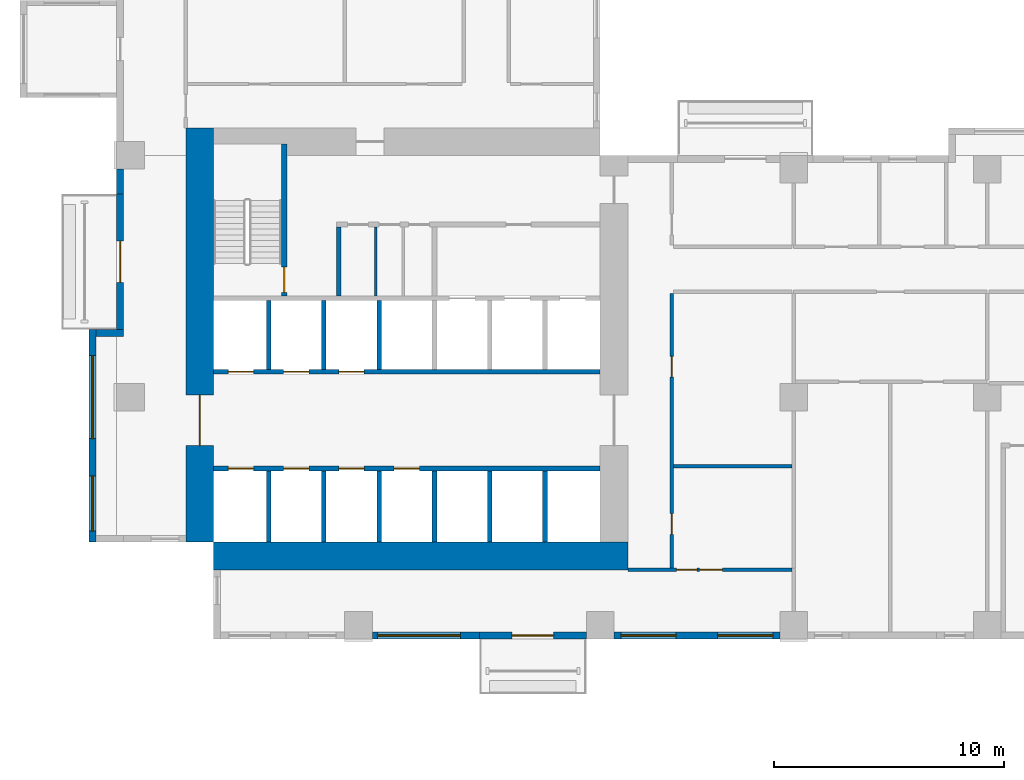
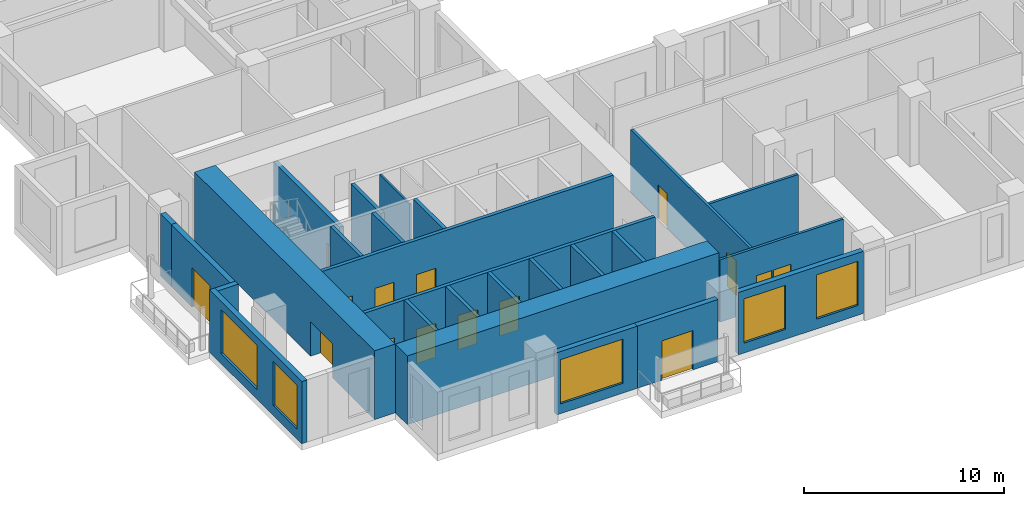
# One storey, part 2 of 14: 26 walls, 15 doors, 5 windows, 20 openings.
"""IFC4 building model written with IfcOpenShell, lengths in metres."""

import ifcopenshell
import ifcopenshell.guid

model = None  # the IFC model being written
_history = None  # IfcOwnerHistory: only IFC2X3 demands one
_inside = {}  # id of a spatial element -> (the spatial element, [elements in it])
_under = {}  # id of a project, library or spatial element -> (it, [spatial elements below it])
_declared = {}  # id of a project -> (the project, [libraries it declares])
_typed = {}  # id of a type object -> (the type object, [elements of that type])
_made_of = {}  # id of a material, layer set ... -> (it, [elements and type objects made of it])


def new_model(schema):
    """Start an empty IFC model of exactly this schema.

    Asked for "IFC4X3", IfcOpenShell would pick the latest addendum, in which some entities
    have other attributes; the version numbers below select the first issue.
    IFC2X3 requires an IfcOwnerHistory on every rooted entity: one is made here for all.
    """
    global model, _history
    if schema == "IFC4X3":
        model = ifcopenshell.file(schema_version=(4, 3, 0, 0))
    else:
        model = ifcopenshell.file(schema=schema)
    _inside.clear()
    _under.clear()
    _declared.clear()
    _typed.clear()
    _made_of.clear()
    _history = None
    if model.schema == "IFC2X3":
        org = make("IfcOrganization", Name="unknown")
        user = make(
            "IfcPersonAndOrganization",
            ThePerson=make("IfcPerson", FamilyName="unknown"),
            TheOrganization=org,
        )
        app = make(
            "IfcApplication",
            ApplicationDeveloper=org,
            Version="unknown",
            ApplicationFullName="unknown",
            ApplicationIdentifier="unknown",
        )
        _history = make(
            "IfcOwnerHistory",
            OwningUser=user,
            OwningApplication=app,
            ChangeAction="ADDED",
            CreationDate=0,
        )
    return model


def make(cls, **values):
    """One entity of the class cls with the attributes given. An attribute that is None is left unset."""
    return model.create_entity(
        cls, **{name: value for name, value in values.items() if value is not None}
    )


def rooted(cls, **values):
    """An entity with a GlobalId (a new one), such as an element, a storey or a relation."""
    return make(cls, GlobalId=ifcopenshell.guid.new(), OwnerHistory=_history, **values)


def si_unit(unit_type, name, prefix=None):
    """IfcSIUnit, for example si_unit("LENGTHUNIT", "METRE", prefix="MILLI")."""
    return make("IfcSIUnit", UnitType=unit_type, Prefix=prefix, Name=name)


def assignment(units):
    """IfcUnitAssignment: the units of a project."""
    return None if units is None else make("IfcUnitAssignment", Units=units)


def point(xyz):
    """IfcCartesianPoint."""
    return None if xyz is None else make("IfcCartesianPoint", Coordinates=xyz)


def direction(xyz):
    """IfcDirection."""
    return None if xyz is None else make("IfcDirection", DirectionRatios=xyz)


def frame(location, z_axis=None, x_axis=None):
    """IfcAxis2Placement3D, a coordinate frame: its origin and axes. An axis left out is left unset."""
    return make(
        "IfcAxis2Placement3D",
        Location=point(location),
        Axis=direction(z_axis),
        RefDirection=direction(x_axis),
    )


def frame_2d(location, x_axis=None):
    """IfcAxis2Placement2D, a coordinate frame in the plane: its origin and x axis."""
    return make(
        "IfcAxis2Placement2D", Location=point(location), RefDirection=direction(x_axis)
    )


def origin():
    """The frame at (0, 0, 0) with its axes left unset."""
    return frame((0.0, 0.0, 0.0))


def place(relative_to, where):
    """IfcLocalPlacement: puts the frame where relative to a parent placement (None: the world)."""
    return make(
        "IfcLocalPlacement", PlacementRelTo=relative_to, RelativePlacement=where
    )


def context(
    kind, dimensions, precision=None, world=None, true_north=None, identifier=None
):
    """IfcGeometricRepresentationContext, for example the 3D "Model" context."""
    return make(
        "IfcGeometricRepresentationContext",
        ContextIdentifier=identifier,
        ContextType=kind,
        CoordinateSpaceDimension=dimensions,
        Precision=precision,
        WorldCoordinateSystem=world,
        TrueNorth=true_north,
    )


def subcontext(parent, identifier, kind, view, scale=None):
    """IfcGeometricRepresentationSubContext, for example "Body" below "Model"."""
    return make(
        "IfcGeometricRepresentationSubContext",
        ContextIdentifier=identifier,
        ContextType=kind,
        ParentContext=parent,
        TargetScale=scale,
        TargetView=view,
    )


def project(units=None, contexts=None):
    """IfcProject with its units and contexts."""
    return rooted(
        "IfcProject",
        Name="project",
        RepresentationContexts=contexts,
        UnitsInContext=assignment(units),
    )


def spatial(cls, under=None, at=None, **own):
    """A site, building, storey or space (cls), placed at a placement, below another one or the project."""
    s = rooted(cls, ObjectPlacement=at, **own)
    if under is not None:
        _under.setdefault(under.id(), (under, []))[1].append(s)
    return s


def profile(cls, at=None, kind="AREA", **sizes):
    """A parametric profile (cls). Its sizes go by their IFC names, for example OverallWidth=200.0."""
    return make(cls, ProfileType=kind, Position=at, **sizes)


def rectangle(**sizes):
    """IfcRectangleProfileDef."""
    return profile("IfcRectangleProfileDef", **sizes)


def extrude(swept, where, along, depth):
    """IfcExtrudedAreaSolid: the profile swept, set in the frame where, extruded along a direction by depth."""
    return make(
        "IfcExtrudedAreaSolid",
        SweptArea=swept,
        Position=where,
        ExtrudedDirection=direction(along),
        Depth=depth,
    )


def shape(context_of_items, identifier, shape_type, items):
    """IfcShapeRepresentation: the items that make up one representation, for example the "Body"."""
    return make(
        "IfcShapeRepresentation",
        ContextOfItems=context_of_items,
        RepresentationIdentifier=identifier,
        RepresentationType=shape_type,
        Items=items,
    )


def source(mapping_origin, context_of_items, identifier, shape_type, items):
    """IfcRepresentationMap: a shape defined once, which mapped items show again and again."""
    return make(
        "IfcRepresentationMap",
        MappingOrigin=mapping_origin,
        MappedRepresentation=shape(context_of_items, identifier, shape_type, items),
    )


def transform(
    local_origin,
    x_axis=None,
    y_axis=None,
    z_axis=None,
    scale=None,
    scale2=None,
    scale3=None,
    uniform=True,
):
    """IfcCartesianTransformationOperator3D, or its non-uniform kind. x_axis, y_axis, z_axis: its Axis1, 2, 3."""
    if uniform:
        return make(
            "IfcCartesianTransformationOperator3D",
            Axis1=direction(x_axis),
            Axis2=direction(y_axis),
            LocalOrigin=point(local_origin),
            Scale=scale,
            Axis3=direction(z_axis),
        )
    return make(
        "IfcCartesianTransformationOperator3DnonUniform",
        Axis1=direction(x_axis),
        Axis2=direction(y_axis),
        LocalOrigin=point(local_origin),
        Scale=scale,
        Axis3=direction(z_axis),
        Scale2=scale2,
        Scale3=scale3,
    )


def mapped(mapping_source, mapping_target):
    """IfcMappedItem: shows the shape of a source again, moved by a transform."""
    return make(
        "IfcMappedItem", MappingSource=mapping_source, MappingTarget=mapping_target
    )


def material(Name=None, Category=None):
    """IfcMaterial."""
    return make("IfcMaterial", Name=Name, Category=Category)


def layer(
    of_material, thickness, ventilated=None, Name=None, Category=None, Priority=None
):
    """IfcMaterialLayer: one layer of a wall or slab, of a material (None: an air gap)."""
    return make(
        "IfcMaterialLayer",
        Material=of_material,
        LayerThickness=thickness,
        IsVentilated=ventilated,
        Name=Name,
        Category=Category,
        Priority=Priority,
    )


def layer_set(layers, Name=None):
    """IfcMaterialLayerSet."""
    return make("IfcMaterialLayerSet", MaterialLayers=layers, LayerSetName=Name)


def made_of(thing, what):
    """Note that an element or type object is made of a material, layer set ...; save() writes the relation."""
    if what is not None:
        _made_of.setdefault(what.id(), (what, []))[1].append(thing)
    return thing


def type_object(cls, material=None, **own):
    """A type object (cls), such as IfcWallType, which elements share."""
    return made_of(rooted(cls, **own), material)


def element(
    cls,
    number,
    at=None,
    inside=None,
    cuts=None,
    type_object=None,
    material=None,
    context=None,
    identifier="Body",
    shape_type=None,
    held_by="IfcProductDefinitionShape",
    body=None,
    shapes=None,
    **own,
):
    """One element of the class cls, such as IfcWall. Its Tag is "e" and its number.

    at: its placement. inside: the storey or other place that contains it. cuts: it is an
    opening in that element (IfcRelVoidsElement). A single representation is given by context,
    identifier, shape_type and body (its items); several are given by shapes. held_by: the class
    of the entity that holds the representations. save() writes the other relations.
    """
    e = rooted(cls, Tag="e%d" % number, ObjectPlacement=at, **own)
    if body is not None:
        shapes = [shape(context, identifier, shape_type, body)]
    if shapes is not None:
        e.Representation = make(held_by, Representations=shapes)
    if inside is not None:
        _inside.setdefault(inside.id(), (inside, []))[1].append(e)
    if cuts is not None:
        rooted(
            "IfcRelVoidsElement", RelatingBuildingElement=cuts, RelatedOpeningElement=e
        )
    if type_object is not None:
        _typed.setdefault(type_object.id(), (type_object, []))[1].append(e)
    return made_of(e, material)


def fill(opening, filler):
    """IfcRelFillsElement: the door or window that sits in an opening."""
    return rooted(
        "IfcRelFillsElement",
        RelatingOpeningElement=opening,
        RelatedBuildingElement=filler,
    )


def aggregate(whole, parts):
    """IfcRelAggregates: a whole, such as a stair, and the parts it consists of."""
    return rooted("IfcRelAggregates", RelatingObject=whole, RelatedObjects=parts)


def save(model, path):
    """Write the relations noted so far, then the file.

    IfcRelAggregates (storeys below a building ...), IfcRelContainedInSpatialStructure (elements
    in a storey), IfcRelDefinesByType, IfcRelAssociatesMaterial and IfcRelDeclares: one each for
    every whole, place, type object, material and project.
    """
    for whole, parts in _under.values():
        aggregate(whole, parts)
    for where, things in _inside.values():
        rooted(
            "IfcRelContainedInSpatialStructure",
            RelatedElements=things,
            RelatingStructure=where,
        )
    for kind, things in _typed.values():
        rooted("IfcRelDefinesByType", RelatedObjects=things, RelatingType=kind)
    for what, things in _made_of.values():
        rooted("IfcRelAssociatesMaterial", RelatedObjects=things, RelatingMaterial=what)
    for by, libraries in _declared.values():
        rooted("IfcRelDeclares", RelatingContext=by, RelatedDefinitions=libraries)
    model.write(path)


model = new_model("IFC4")

# Units and contexts
model_context = context("Model", 3, precision=1e-05, world=origin(), true_north=direction((0.0, 1.0)))
body_context = subcontext(model_context, "Body", "Model", "MODEL_VIEW")
ifc_project = project(units=[si_unit("LENGTHUNIT", "METRE"), si_unit("AREAUNIT", "SQUARE_METRE"), si_unit("VOLUMEUNIT", "CUBIC_METRE"), si_unit("PLANEANGLEUNIT", "RADIAN"), si_unit("MASSUNIT", "GRAM", prefix="KILO")], contexts=[model_context])

# Site, building, storey
site_placement = place(None, origin())
site = spatial("IfcSite", under=ifc_project, at=site_placement, CompositionType="ELEMENT")
building_placement = place(site_placement, origin())
building = spatial("IfcBuilding", under=site, at=building_placement, Name="Aurelian Terraces", CompositionType="ELEMENT")
storey_placement = place(building_placement, frame((0.0, 0.0, 44.7)))
storey = spatial("IfcBuildingStorey", under=building, at=storey_placement, Name="L08", CompositionType="ELEMENT", Elevation=44.7)

# Wall, openings, windows
ifc_material_1 = material(Name="Terracotta rainscreen cladding", Category="masonry")
ifc_layer_1 = layer(ifc_material_1, 0.3)
ifc_layer_set_1 = layer_set([ifc_layer_1], Name="EW-300")
wall_type_1 = type_object("IfcWallType", Name="EW-300", PredefinedType="STANDARD", material=ifc_layer_set_1)
wall_1_placement = place(storey_placement, frame((-1.05, 13.44, 0.0), z_axis=(0.0, 0.0, 1.0), x_axis=(0.0, -1.0, 0.0)))
wall_1 = element("IfcWall", 1, at=wall_1_placement, inside=storey, type_object=wall_type_1, Name="Bay wall L08 F14.44", PredefinedType="STANDARD", context=body_context, shape_type="SweptSolid", body=[
    extrude(rectangle(XDim=9.24, YDim=0.3, at=frame_2d((4.62, 0.0))), origin(), (0.0, 0.0, 1.0), 3.8),
])
shared_shape_1 = source(origin(), body_context, "Body", "SweptSolid", [
    extrude(rectangle(XDim=3.6, YDim=2.7, at=frame_2d((1.8, 1.35))), frame((0.0, 0.16, 0.0), z_axis=(0.0, -1.0, 0.0), x_axis=(1.0, 0.0, 0.0)), (0.0, 0.0, 1.0), 0.32),
])
opening_1_placement = place(wall_1_placement, frame((1.14, 0.0, 0.6)))
opening_1 = element("IfcOpeningElement", 2, at=opening_1_placement, cuts=wall_1, Name="Opening W3627", PredefinedType="OPENING", context=body_context, shape_type="MappedRepresentation", body=[
    mapped(shared_shape_1, transform((0.0, 0.0, 0.0), scale=1.0)),
])
shared_shape_2 = source(origin(), body_context, "Body", "SweptSolid", [
    extrude(rectangle(XDim=2.4, YDim=2.7, at=frame_2d((1.2, 1.35))), frame((0.0, 0.16, 0.0), z_axis=(0.0, -1.0, 0.0), x_axis=(1.0, 0.0, 0.0)), (0.0, 0.0, 1.0), 0.32),
])
opening_2_placement = place(wall_1_placement, frame((6.36, 0.0, 0.6)))
opening_2 = element("IfcOpeningElement", 3, at=opening_2_placement, cuts=wall_1, Name="Opening W2427", PredefinedType="OPENING", context=body_context, shape_type="MappedRepresentation", body=[
    mapped(shared_shape_2, transform((0.0, 0.0, 0.0), scale=1.0)),
])
ifc_material_2 = material(Name="Clear glazing", Category="glass")
window_type_1 = type_object("IfcWindowType", Name="W-3600x2700", PartitioningType="SINGLE_PANEL", PredefinedType="WINDOW", material=ifc_material_2)
shared_shape_3 = source(origin(), body_context, "Body", "SweptSolid", [
    extrude(rectangle(XDim=3.6, YDim=2.7, at=frame_2d((1.8, 1.35))), frame((0.0, 0.03, 0.0), z_axis=(0.0, -1.0, 0.0), x_axis=(1.0, 0.0, 0.0)), (0.0, 0.0, 1.0), 0.06),
])
window_1_placement = place(opening_1_placement, origin())
window_1 = element("IfcWindow", 4, at=window_1_placement, inside=storey, type_object=window_type_1, Name="Window L08 L08-F14-44-0", OverallHeight=2.7, OverallWidth=3.6, PartitioningType="SINGLE_PANEL", PredefinedType="WINDOW", context=body_context, shape_type="MappedRepresentation", body=[
    mapped(shared_shape_3, transform((0.0, 0.0, 0.0), scale=1.0)),
])
fill(opening_1, window_1)
window_type_2 = type_object("IfcWindowType", Name="W-2400x2700", PartitioningType="SINGLE_PANEL", PredefinedType="WINDOW", material=ifc_material_2)
shared_shape_4 = source(origin(), body_context, "Body", "SweptSolid", [
    extrude(rectangle(XDim=2.4, YDim=2.7, at=frame_2d((1.2, 1.35))), frame((0.0, 0.03, 0.0), z_axis=(0.0, -1.0, 0.0), x_axis=(1.0, 0.0, 0.0)), (0.0, 0.0, 1.0), 0.06),
])
window_2_placement = place(opening_2_placement, origin())
window_2 = element("IfcWindow", 5, at=window_2_placement, inside=storey, type_object=window_type_2, Name="Window L08 L08-F14-44-1", OverallHeight=2.7, OverallWidth=2.4, PartitioningType="SINGLE_PANEL", PredefinedType="WINDOW", context=body_context, shape_type="MappedRepresentation", body=[
    mapped(shared_shape_4, transform((0.0, 0.0, 0.0), scale=1.0)),
])
fill(opening_2, window_2)

# Wall, opening, door
ifc_material_3 = material(Name="Concrete fc' 83 MPa", Category="concrete")
ifc_layer_2 = layer(ifc_material_3, 1.2)
ifc_layer_set_2 = layer_set([ifc_layer_2], Name="CORE WALL 1200 FC83")
wall_type_2 = type_object("IfcWallType", Name="CORE WALL 1200 FC83", PredefinedType="SHEAR", material=ifc_layer_set_2)
shared_shape_5 = source(origin(), body_context, "Body", "SweptSolid", [
    extrude(rectangle(XDim=18.0, YDim=1.2, at=frame_2d((9.0, 0.0))), origin(), (0.0, 0.0, 1.0), 4.2),
])
wall_2_placement = place(storey_placement, frame((3.6, 4.2, 0.0), z_axis=(0.0, 0.0, 1.0), x_axis=(0.0, 1.0, 0.0)))
wall_2 = element("IfcWall", 6, at=wall_2_placement, inside=storey, type_object=wall_type_2, Name="Core wall W L08", PredefinedType="SHEAR", context=body_context, shape_type="MappedRepresentation", body=[
    mapped(shared_shape_5, transform((0.0, 0.0, 0.0), scale=1.0)),
])
shared_shape_6 = source(origin(), body_context, "Body", "SweptSolid", [
    extrude(rectangle(XDim=2.2, YDim=2.1, at=frame_2d((1.1, 1.05))), frame((0.0, 0.61, 0.0), z_axis=(0.0, -1.0, 0.0), x_axis=(1.0, 0.0, 0.0)), (0.0, 0.0, 1.0), 1.22),
])
opening_3_placement = place(wall_2_placement, frame((4.2, 0.0, 0.0)))
opening_3 = element("IfcOpeningElement", 7, at=opening_3_placement, cuts=wall_2, Name="Opening 61122", PredefinedType="OPENING", context=body_context, shape_type="MappedRepresentation", body=[
    mapped(shared_shape_6, transform((0.0, 0.0, 0.0), scale=1.0)),
])
ifc_material_4 = material(Name="Steel door leaf", Category="steel")
door_type_1 = type_object("IfcDoorType", Name="Core double door 2200x2100", OperationType="DOUBLE_DOOR_SINGLE_SWING", PredefinedType="DOOR", material=ifc_material_4)
shared_shape_7 = source(origin(), body_context, "Body", "SweptSolid", [
    extrude(rectangle(XDim=2.2, YDim=2.1, at=frame_2d((1.1, 1.05))), frame((0.0, 0.025, 0.0), z_axis=(0.0, -1.0, 0.0), x_axis=(1.0, 0.0, 0.0)), (0.0, 0.0, 1.0), 0.05),
])
door_1_placement = place(opening_3_placement, origin())
door_1 = element("IfcDoor", 8, at=door_1_placement, inside=storey, type_object=door_type_1, Name="Core door 61122", OperationType="DOUBLE_DOOR_SINGLE_SWING", OverallHeight=2.1, OverallWidth=2.2, PredefinedType="DOOR", context=body_context, shape_type="MappedRepresentation", body=[
    mapped(shared_shape_7, transform((0.0, 0.0, 0.0), scale=1.0)),
])
fill(opening_3, door_1)

# Wall
wall_3_placement = place(storey_placement, frame((4.2, 3.6, 0.0), z_axis=(0.0, 0.0, 1.0), x_axis=(1.0, 0.0, 0.0)))
element("IfcWall", 9, at=wall_3_placement, inside=storey, type_object=wall_type_2, Name="Core wall S L08", PredefinedType="SHEAR", context=body_context, shape_type="MappedRepresentation", body=[
    mapped(shared_shape_5, transform((0.0, 0.0, 0.0), scale=1.0)),
])

# Wall, opening, window
shared_shape_8 = source(origin(), body_context, "Body", "SweptSolid", [
    extrude(rectangle(XDim=4.65, YDim=0.3, at=frame_2d((2.325, 0.0))), origin(), (0.0, 0.0, 1.0), 3.8),
])
wall_4_placement = place(storey_placement, frame((11.1, 0.15, 0.0), z_axis=(0.0, 0.0, 1.0), x_axis=(1.0, 0.0, 0.0)))
wall_4 = element("IfcWall", 10, at=wall_4_placement, inside=storey, type_object=wall_type_1, Name="External wall L08 F01.3", PredefinedType="STANDARD", context=body_context, shape_type="MappedRepresentation", body=[
    mapped(shared_shape_8, transform((0.0, 0.0, 0.0), scale=1.0)),
])
opening_4_placement = place(wall_4_placement, frame((0.225, 0.0, 0.6)))
opening_4 = element("IfcOpeningElement", 11, at=opening_4_placement, cuts=wall_4, Name="Opening W3627", PredefinedType="OPENING", context=body_context, shape_type="MappedRepresentation", body=[
    mapped(shared_shape_1, transform((0.0, 0.0, 0.0), scale=1.0)),
])
window_3_placement = place(opening_4_placement, origin())
window_3 = element("IfcWindow", 12, at=window_3_placement, inside=storey, type_object=window_type_1, Name="Window L08 L08-F01-03-0", OverallHeight=2.7, OverallWidth=3.6, PartitioningType="SINGLE_PANEL", PredefinedType="WINDOW", context=body_context, shape_type="MappedRepresentation", body=[
    mapped(shared_shape_3, transform((0.0, 0.0, 0.0), scale=1.0)),
])
fill(opening_4, window_3)

# Wall, opening, door
wall_5_placement = place(storey_placement, frame((15.75, 0.15, 0.0), z_axis=(0.0, 0.0, 1.0), x_axis=(1.0, 0.0, 0.0)))
wall_5 = element("IfcWall", 13, at=wall_5_placement, inside=storey, type_object=wall_type_1, Name="External wall L08 F01.4", PredefinedType="STANDARD", context=body_context, shape_type="MappedRepresentation", body=[
    mapped(shared_shape_8, transform((0.0, 0.0, 0.0), scale=1.0)),
])
shared_shape_9 = source(origin(), body_context, "Body", "SweptSolid", [
    extrude(rectangle(XDim=1.8, YDim=2.4, at=frame_2d((0.9, 1.2))), frame((0.0, 0.16, 0.0), z_axis=(0.0, -1.0, 0.0), x_axis=(1.0, 0.0, 0.0)), (0.0, 0.0, 1.0), 0.32),
])
opening_5_placement = place(wall_5_placement, frame((1.425, 0.0, 0.0)))
opening_5 = element("IfcOpeningElement", 14, at=opening_5_placement, cuts=wall_5, Name="Opening 80801", PredefinedType="OPENING", context=body_context, shape_type="MappedRepresentation", body=[
    mapped(shared_shape_9, transform((0.0, 0.0, 0.0), scale=1.0)),
])
door_type_2 = type_object("IfcDoorType", Name="BD-1800x2400", OperationType="SLIDING_TO_LEFT", PredefinedType="DOOR", material=ifc_material_2)
shared_shape_10 = source(origin(), body_context, "Body", "SweptSolid", [
    extrude(rectangle(XDim=1.8, YDim=2.4, at=frame_2d((0.9, 1.2))), frame((0.0, 0.025, 0.0), z_axis=(0.0, -1.0, 0.0), x_axis=(1.0, 0.0, 0.0)), (0.0, 0.0, 1.0), 0.05),
])
door_2_placement = place(opening_5_placement, origin())
door_2 = element("IfcDoor", 15, at=door_2_placement, inside=storey, type_object=door_type_2, Name="Balcony door L08 F01.4", OperationType="SLIDING_TO_LEFT", OverallHeight=2.4, OverallWidth=1.8, PredefinedType="DOOR", context=body_context, shape_type="MappedRepresentation", body=[
    mapped(shared_shape_10, transform((0.0, 0.0, 0.0), scale=1.0)),
])
fill(opening_5, door_2)

# Wall, openings, windows
shared_shape_11 = source(origin(), body_context, "Body", "SweptSolid", [
    extrude(rectangle(XDim=7.2, YDim=0.3, at=frame_2d((3.6, 0.0))), origin(), (0.0, 0.0, 1.0), 3.8),
])
wall_6_placement = place(storey_placement, frame((21.6, 0.15, 0.0), z_axis=(0.0, 0.0, 1.0), x_axis=(1.0, 0.0, 0.0)))
wall_6 = element("IfcWall", 16, at=wall_6_placement, inside=storey, type_object=wall_type_1, Name="External wall L08 F01.5", PredefinedType="STANDARD", context=body_context, shape_type="MappedRepresentation", body=[
    mapped(shared_shape_11, transform((0.0, 0.0, 0.0), scale=1.0)),
])
opening_6_placement = place(wall_6_placement, frame((0.3, 0.0, 0.6)))
opening_6 = element("IfcOpeningElement", 17, at=opening_6_placement, cuts=wall_6, Name="Opening W2427", PredefinedType="OPENING", context=body_context, shape_type="MappedRepresentation", body=[
    mapped(shared_shape_2, transform((0.0, 0.0, 0.0), scale=1.0)),
])
opening_7_placement = place(wall_6_placement, frame((4.5, 0.0, 0.6)))
opening_7 = element("IfcOpeningElement", 18, at=opening_7_placement, cuts=wall_6, Name="Opening W2427", PredefinedType="OPENING", context=body_context, shape_type="MappedRepresentation", body=[
    mapped(shared_shape_2, transform((0.0, 0.0, 0.0), scale=1.0)),
])
window_4_placement = place(opening_6_placement, origin())
window_4 = element("IfcWindow", 19, at=window_4_placement, inside=storey, type_object=window_type_2, Name="Window L08 L08-F01-05-0", OverallHeight=2.7, OverallWidth=2.4, PartitioningType="SINGLE_PANEL", PredefinedType="WINDOW", context=body_context, shape_type="MappedRepresentation", body=[
    mapped(shared_shape_4, transform((0.0, 0.0, 0.0), scale=1.0)),
])
fill(opening_6, window_4)
window_5_placement = place(opening_7_placement, origin())
window_5 = element("IfcWindow", 20, at=window_5_placement, inside=storey, type_object=window_type_2, Name="Window L08 L08-F01-05-1", OverallHeight=2.7, OverallWidth=2.4, PartitioningType="SINGLE_PANEL", PredefinedType="WINDOW", context=body_context, shape_type="MappedRepresentation", body=[
    mapped(shared_shape_4, transform((0.0, 0.0, 0.0), scale=1.0)),
])
fill(opening_7, window_5)

# Wall
shared_shape_12 = source(origin(), body_context, "Body", "SweptSolid", [
    extrude(rectangle(XDim=1.2, YDim=0.3, at=frame_2d((0.6, 0.0))), origin(), (0.0, 0.0, 1.0), 3.8),
])
wall_7_placement = place(storey_placement, frame((0.3, 13.29, 0.0), z_axis=(0.0, 0.0, 1.0), x_axis=(-1.0, 0.0, 0.0)))
element("IfcWall", 21, at=wall_7_placement, inside=storey, type_object=wall_type_1, Name="Bay return L08 F14.44.1", PredefinedType="STANDARD", context=body_context, shape_type="MappedRepresentation", body=[
    mapped(shared_shape_12, transform((0.0, 0.0, 0.0), scale=1.0)),
])

# Wall, opening, door
shared_shape_13 = source(origin(), body_context, "Body", "SweptSolid", [
    extrude(rectangle(XDim=5.88, YDim=0.3, at=frame_2d((2.94, 0.0))), origin(), (0.0, 0.0, 1.0), 3.8),
])
wall_8_placement = place(storey_placement, frame((0.15, 19.32, 0.0), z_axis=(0.0, 0.0, 1.0), x_axis=(0.0, -1.0, 0.0)))
wall_8 = element("IfcWall", 22, at=wall_8_placement, inside=storey, type_object=wall_type_1, Name="External wall L08 F14.43", PredefinedType="STANDARD", context=body_context, shape_type="MappedRepresentation", body=[
    mapped(shared_shape_13, transform((0.0, 0.0, 0.0), scale=1.0)),
])
opening_8_placement = place(wall_8_placement, frame((2.04, 0.0, 0.0)))
opening_8 = element("IfcOpeningElement", 23, at=opening_8_placement, cuts=wall_8, Name="Opening 80803", PredefinedType="OPENING", context=body_context, shape_type="MappedRepresentation", body=[
    mapped(shared_shape_9, transform((0.0, 0.0, 0.0), scale=1.0)),
])
door_3_placement = place(opening_8_placement, origin())
door_3 = element("IfcDoor", 24, at=door_3_placement, inside=storey, type_object=door_type_2, Name="Balcony door L08 F14.43", OperationType="SLIDING_TO_LEFT", OverallHeight=2.4, OverallWidth=1.8, PredefinedType="DOOR", context=body_context, shape_type="MappedRepresentation", body=[
    mapped(shared_shape_10, transform((0.0, 0.0, 0.0), scale=1.0)),
])
fill(opening_8, door_3)

# Walls
shared_shape_14 = source(origin(), body_context, "Body", "SweptSolid", [
    extrude(rectangle(XDim=1.08, YDim=0.3, at=frame_2d((0.54, 0.0))), origin(), (0.0, 0.0, 1.0), 3.8),
])
wall_9_placement = place(storey_placement, frame((0.15, 20.4, 0.0), z_axis=(0.0, 0.0, 1.0), x_axis=(0.0, -1.0, 0.0)))
element("IfcWall", 25, at=wall_9_placement, inside=storey, type_object=wall_type_1, Name="External wall L08 F14.42", PredefinedType="STANDARD", context=body_context, shape_type="MappedRepresentation", body=[
    mapped(shared_shape_14, transform((0.0, 0.0, 0.0), scale=1.0)),
])
ifc_material_5 = material(Name="Concrete fc' 40 MPa", Category="concrete")
ifc_layer_3 = layer(ifc_material_5, 0.2)
ifc_layer_set_3 = layer_set([ifc_layer_3], Name="Lift shaft wall 200")
wall_type_3 = type_object("IfcWallType", Name="Lift shaft wall 200", PredefinedType="SOLIDWALL", material=ifc_layer_set_3)
shared_shape_15 = source(origin(), body_context, "Body", "SweptSolid", [
    extrude(rectangle(XDim=3.1, YDim=0.2, at=frame_2d((1.55, 0.0))), origin(), (0.0, 0.0, 1.0), 4.2),
])
for number, where, z_axis, x_axis, name in (
    (26, (6.6, 4.2, 0.0), (0.0, 0.0, 1.0), (0.0, 1.0, 0.0), "L08 core wall CD-A1"),
    (27, (9.0, 4.2, 0.0), (0.0, 0.0, 1.0), (0.0, 1.0, 0.0), "L08 core wall CD-A2"),
    (28, (11.4, 4.2, 0.0), (0.0, 0.0, 1.0), (0.0, 1.0, 0.0), "L08 core wall CD-A3"),
    (29, (13.8, 4.2, 0.0), (0.0, 0.0, 1.0), (0.0, 1.0, 0.0), "L08 core wall CD-A4"),
    (30, (16.2, 4.2, 0.0), (0.0, 0.0, 1.0), (0.0, 1.0, 0.0), "L08 core wall CD-A5"),
    (31, (18.6, 4.2, 0.0), (0.0, 0.0, 1.0), (0.0, 1.0, 0.0), "L08 core wall CD-A6"),
):
    element("IfcWall", number, at=place(storey_placement, frame(where, z_axis=z_axis, x_axis=x_axis)), inside=storey, type_object=wall_type_3, Name=name, PredefinedType="SOLIDWALL", context=body_context, shape_type="MappedRepresentation", body=[
        mapped(shared_shape_15, transform((0.0, 0.0, 0.0), scale=1.0)),
    ])
shared_shape_16 = source(origin(), body_context, "Body", "SweptSolid", [
    extrude(rectangle(XDim=3.0, YDim=0.2, at=frame_2d((1.5, 0.0))), origin(), (0.0, 0.0, 1.0), 4.2),
])
for number, where, z_axis, x_axis, name in (
    (32, (6.6, 11.7, 0.0), (0.0, 0.0, 1.0), (0.0, 1.0, 0.0), "L08 core wall CD-B1"),
    (33, (9.0, 11.7, 0.0), (0.0, 0.0, 1.0), (0.0, 1.0, 0.0), "L08 core wall CD-B2"),
    (34, (11.4, 11.7, 0.0), (0.0, 0.0, 1.0), (0.0, 1.0, 0.0), "L08 core wall CD-B3"),
):
    element("IfcWall", number, at=place(storey_placement, frame(where, z_axis=z_axis, x_axis=x_axis)), inside=storey, type_object=wall_type_3, Name=name, PredefinedType="SOLIDWALL", context=body_context, shape_type="MappedRepresentation", body=[
        mapped(shared_shape_16, transform((0.0, 0.0, 0.0), scale=1.0)),
    ])

# Wall, openings, doors
shared_shape_17 = source(origin(), body_context, "Body", "SweptSolid", [
    extrude(rectangle(XDim=16.8, YDim=0.2, at=frame_2d((8.4, 0.0))), origin(), (0.0, 0.0, 1.0), 4.2),
])
wall_10_placement = place(storey_placement, frame((4.2, 7.4, 0.0), z_axis=(0.0, 0.0, 1.0), x_axis=(1.0, 0.0, 0.0)))
wall_10 = element("IfcWall", 35, at=wall_10_placement, inside=storey, type_object=wall_type_3, Name="L08 core wall CF-AF1", PredefinedType="SOLIDWALL", context=body_context, shape_type="MappedRepresentation", body=[
    mapped(shared_shape_17, transform((0.0, 0.0, 0.0), scale=1.0)),
])
shared_shape_18 = source(origin(), body_context, "Body", "SweptSolid", [
    extrude(rectangle(XDim=1.1, YDim=2.1, at=frame_2d((0.55, 1.05))), frame((0.0, 0.11, 0.0), z_axis=(0.0, -1.0, 0.0), x_axis=(1.0, 0.0, 0.0)), (0.0, 0.0, 1.0), 0.22),
])
opening_9_placement = place(wall_10_placement, frame((0.65, 0.0, 0.0)))
opening_9 = element("IfcOpeningElement", 36, at=opening_9_placement, cuts=wall_10, Name="Opening 61100", PredefinedType="OPENING", context=body_context, shape_type="MappedRepresentation", body=[
    mapped(shared_shape_18, transform((0.0, 0.0, 0.0), scale=1.0)),
])
opening_10_placement = place(wall_10_placement, frame((3.05, 0.0, 0.0)))
opening_10 = element("IfcOpeningElement", 37, at=opening_10_placement, cuts=wall_10, Name="Opening 61101", PredefinedType="OPENING", context=body_context, shape_type="MappedRepresentation", body=[
    mapped(shared_shape_18, transform((0.0, 0.0, 0.0), scale=1.0)),
])
opening_11_placement = place(wall_10_placement, frame((5.45, 0.0, 0.0)))
opening_11 = element("IfcOpeningElement", 38, at=opening_11_placement, cuts=wall_10, Name="Opening 61102", PredefinedType="OPENING", context=body_context, shape_type="MappedRepresentation", body=[
    mapped(shared_shape_18, transform((0.0, 0.0, 0.0), scale=1.0)),
])
opening_12_placement = place(wall_10_placement, frame((7.85, 0.0, 0.0)))
opening_12 = element("IfcOpeningElement", 39, at=opening_12_placement, cuts=wall_10, Name="Opening 61103", PredefinedType="OPENING", context=body_context, shape_type="MappedRepresentation", body=[
    mapped(shared_shape_18, transform((0.0, 0.0, 0.0), scale=1.0)),
])
ifc_material_6 = material(Name="Stainless steel", Category="steel")
door_type_3 = type_object("IfcDoorType", Name="Lift landing door 1100x2100", OperationType="SLIDING_TO_LEFT", PredefinedType="DOOR", material=ifc_material_6)
shared_shape_19 = source(origin(), body_context, "Body", "SweptSolid", [
    extrude(rectangle(XDim=1.1, YDim=2.1, at=frame_2d((0.55, 1.05))), frame((0.0, 0.025, 0.0), z_axis=(0.0, -1.0, 0.0), x_axis=(1.0, 0.0, 0.0)), (0.0, 0.0, 1.0), 0.05),
])
door_4_placement = place(opening_9_placement, origin())
door_4 = element("IfcDoor", 40, at=door_4_placement, inside=storey, type_object=door_type_3, Name="Lift landing door LL1 L08", OperationType="SLIDING_TO_LEFT", OverallHeight=2.1, OverallWidth=1.1, PredefinedType="DOOR", context=body_context, shape_type="MappedRepresentation", body=[
    mapped(shared_shape_19, transform((0.0, 0.0, 0.0), scale=1.0)),
])
fill(opening_9, door_4)
door_5_placement = place(opening_10_placement, origin())
door_5 = element("IfcDoor", 41, at=door_5_placement, inside=storey, type_object=door_type_3, Name="Lift landing door LL2 L08", OperationType="SLIDING_TO_LEFT", OverallHeight=2.1, OverallWidth=1.1, PredefinedType="DOOR", context=body_context, shape_type="MappedRepresentation", body=[
    mapped(shared_shape_19, transform((0.0, 0.0, 0.0), scale=1.0)),
])
fill(opening_10, door_5)
door_6_placement = place(opening_11_placement, origin())
door_6 = element("IfcDoor", 42, at=door_6_placement, inside=storey, type_object=door_type_3, Name="Lift landing door LL3 L08", OperationType="SLIDING_TO_LEFT", OverallHeight=2.1, OverallWidth=1.1, PredefinedType="DOOR", context=body_context, shape_type="MappedRepresentation", body=[
    mapped(shared_shape_19, transform((0.0, 0.0, 0.0), scale=1.0)),
])
fill(opening_11, door_6)
door_7_placement = place(opening_12_placement, origin())
door_7 = element("IfcDoor", 43, at=door_7_placement, inside=storey, type_object=door_type_3, Name="Lift landing door LL4 L08", OperationType="SLIDING_TO_LEFT", OverallHeight=2.1, OverallWidth=1.1, PredefinedType="DOOR", context=body_context, shape_type="MappedRepresentation", body=[
    mapped(shared_shape_19, transform((0.0, 0.0, 0.0), scale=1.0)),
])
fill(opening_12, door_7)

wall_11_placement = place(storey_placement, frame((4.2, 11.6, 0.0), z_axis=(0.0, 0.0, 1.0), x_axis=(1.0, 0.0, 0.0)))
wall_11 = element("IfcWall", 44, at=wall_11_placement, inside=storey, type_object=wall_type_3, Name="L08 core wall CF-BF1", PredefinedType="SOLIDWALL", context=body_context, shape_type="MappedRepresentation", body=[
    mapped(shared_shape_17, transform((0.0, 0.0, 0.0), scale=1.0)),
])
opening_13_placement = place(wall_11_placement, frame((0.65, 0.0, 0.0)))
opening_13 = element("IfcOpeningElement", 45, at=opening_13_placement, cuts=wall_11, Name="Opening 61104", PredefinedType="OPENING", context=body_context, shape_type="MappedRepresentation", body=[
    mapped(shared_shape_18, transform((0.0, 0.0, 0.0), scale=1.0)),
])
opening_14_placement = place(wall_11_placement, frame((3.05, 0.0, 0.0)))
opening_14 = element("IfcOpeningElement", 46, at=opening_14_placement, cuts=wall_11, Name="Opening 61105", PredefinedType="OPENING", context=body_context, shape_type="MappedRepresentation", body=[
    mapped(shared_shape_18, transform((0.0, 0.0, 0.0), scale=1.0)),
])
opening_15_placement = place(wall_11_placement, frame((5.45, 0.0, 0.0)))
opening_15 = element("IfcOpeningElement", 47, at=opening_15_placement, cuts=wall_11, Name="Opening 61106", PredefinedType="OPENING", context=body_context, shape_type="MappedRepresentation", body=[
    mapped(shared_shape_18, transform((0.0, 0.0, 0.0), scale=1.0)),
])
door_8_placement = place(opening_13_placement, origin())
door_8 = element("IfcDoor", 48, at=door_8_placement, inside=storey, type_object=door_type_3, Name="Lift landing door LL5 L08", OperationType="SLIDING_TO_LEFT", OverallHeight=2.1, OverallWidth=1.1, PredefinedType="DOOR", context=body_context, shape_type="MappedRepresentation", body=[
    mapped(shared_shape_19, transform((0.0, 0.0, 0.0), scale=1.0)),
])
fill(opening_13, door_8)
door_9_placement = place(opening_14_placement, origin())
door_9 = element("IfcDoor", 49, at=door_9_placement, inside=storey, type_object=door_type_3, Name="Lift landing door LL6 L08", OperationType="SLIDING_TO_LEFT", OverallHeight=2.1, OverallWidth=1.1, PredefinedType="DOOR", context=body_context, shape_type="MappedRepresentation", body=[
    mapped(shared_shape_19, transform((0.0, 0.0, 0.0), scale=1.0)),
])
fill(opening_14, door_9)
door_10_placement = place(opening_15_placement, origin())
door_10 = element("IfcDoor", 50, at=door_10_placement, inside=storey, type_object=door_type_3, Name="Lift landing door LL7 L08", OperationType="SLIDING_TO_LEFT", OverallHeight=2.1, OverallWidth=1.1, PredefinedType="DOOR", context=body_context, shape_type="MappedRepresentation", body=[
    mapped(shared_shape_19, transform((0.0, 0.0, 0.0), scale=1.0)),
])
fill(opening_15, door_10)

# Walls
ifc_material_7 = material(Name="Gypsum board on steel studs", Category="steel")
ifc_layer_4 = layer(ifc_material_7, 0.2)
ifc_layer_set_4 = layer_set([ifc_layer_4], Name="Core partition 200")
wall_type_4 = type_object("IfcWallType", Name="Core partition 200", PredefinedType="PARTITIONING", material=ifc_layer_set_4)
shared_shape_20 = source(origin(), body_context, "Body", "SweptSolid", [
    extrude(rectangle(XDim=3.0, YDim=0.2, at=frame_2d((1.5, 0.0))), origin(), (0.0, 0.0, 1.0), 3.8),
])
wall_12_placement = place(storey_placement, frame((9.65, 14.9, 0.0), z_axis=(0.0, 0.0, 1.0), x_axis=(0.0, 1.0, 0.0)))
element("IfcWall", 51, at=wall_12_placement, inside=storey, type_object=wall_type_4, Name="L08 core wall CP-VEST", PredefinedType="PARTITIONING", context=body_context, shape_type="MappedRepresentation", body=[
    mapped(shared_shape_20, transform((0.0, 0.0, 0.0), scale=1.0)),
])
ifc_layer_5 = layer(ifc_material_7, 0.1)
ifc_layer_set_5 = layer_set([ifc_layer_5], Name="Core partition 100")
wall_type_5 = type_object("IfcWallType", Name="Core partition 100", PredefinedType="PARTITIONING", material=ifc_layer_set_5)
shared_shape_21 = source(origin(), body_context, "Body", "SweptSolid", [
    extrude(rectangle(XDim=3.0, YDim=0.1, at=frame_2d((1.5, 0.0))), origin(), (0.0, 0.0, 1.0), 3.8),
])
wall_13_placement = place(storey_placement, frame((11.25, 14.9, 0.0), z_axis=(0.0, 0.0, 1.0), x_axis=(0.0, 1.0, 0.0)))
element("IfcWall", 52, at=wall_13_placement, inside=storey, type_object=wall_type_5, Name="L08 core wall CP-SV1", PredefinedType="PARTITIONING", context=body_context, shape_type="MappedRepresentation", body=[
    mapped(shared_shape_21, transform((0.0, 0.0, 0.0), scale=1.0)),
])

# Wall, opening, door
ifc_layer_6 = layer(ifc_material_5, 0.25)
ifc_layer_set_6 = layer_set([ifc_layer_6], Name="Stair enclosure wall 250")
wall_type_6 = type_object("IfcWallType", Name="Stair enclosure wall 250", PredefinedType="SOLIDWALL", material=ifc_layer_set_6)
shared_shape_22 = source(origin(), body_context, "Body", "SweptSolid", [
    extrude(rectangle(XDim=6.6, YDim=0.25, at=frame_2d((3.3, 0.0))), origin(), (0.0, 0.0, 1.0), 3.8),
])
wall_14_placement = place(storey_placement, frame((7.275, 14.9, 0.0), z_axis=(0.0, 0.0, 1.0), x_axis=(0.0, 1.0, 0.0)))
wall_14 = element("IfcWall", 53, at=wall_14_placement, inside=storey, type_object=wall_type_6, Name="L08 core wall ST-S1-E", PredefinedType="SOLIDWALL", context=body_context, shape_type="MappedRepresentation", body=[
    mapped(shared_shape_22, transform((0.0, 0.0, 0.0), scale=1.0)),
])
shared_shape_23 = source(origin(), body_context, "Body", "SweptSolid", [
    extrude(rectangle(XDim=1.1, YDim=2.1, at=frame_2d((0.55, 1.05))), frame((0.0, 0.135, 0.0), z_axis=(0.0, -1.0, 0.0), x_axis=(1.0, 0.0, 0.0)), (0.0, 0.0, 1.0), 0.27),
])
opening_16_placement = place(wall_14_placement, frame((0.15, 0.0, 0.0)))
opening_16 = element("IfcOpeningElement", 54, at=opening_16_placement, cuts=wall_14, Name="Opening 61110", PredefinedType="OPENING", context=body_context, shape_type="MappedRepresentation", body=[
    mapped(shared_shape_23, transform((0.0, 0.0, 0.0), scale=1.0)),
])
door_type_4 = type_object("IfcDoorType", Name="Core fire door 1100x2100 right", OperationType="SINGLE_SWING_RIGHT", PredefinedType="DOOR", material=ifc_material_4)
door_11_placement = place(opening_16_placement, origin())
door_11 = element("IfcDoor", 55, at=door_11_placement, inside=storey, type_object=door_type_4, Name="Stair door 61110", OperationType="SINGLE_SWING_RIGHT", OverallHeight=2.1, OverallWidth=1.1, PredefinedType="DOOR", context=body_context, shape_type="MappedRepresentation", body=[
    mapped(shared_shape_19, transform((0.0, 0.0, 0.0), scale=1.0)),
])
fill(opening_16, door_11)

# Wall
ifc_layer_7 = layer(ifc_material_7, 0.15)
ifc_layer_set_7 = layer_set([ifc_layer_7], Name="Partition 150")
wall_type_7 = type_object("IfcWallType", Name="Partition 150", PredefinedType="PARTITIONING", material=ifc_layer_set_7)
shared_shape_24 = source(origin(), body_context, "Body", "SweptSolid", [
    extrude(rectangle(XDim=5.15, YDim=0.15, at=frame_2d((2.575, 0.0))), origin(), (0.0, 0.0, 1.0), 3.8),
])
wall_15_placement = place(storey_placement, frame((29.325, 7.5, 0.0), z_axis=(0.0, 0.0, 1.0), x_axis=(-1.0, 0.0, 0.0)))
element("IfcWall", 56, at=wall_15_placement, inside=storey, type_object=wall_type_7, Name="Partition", PredefinedType="PARTITIONING", context=body_context, shape_type="MappedRepresentation", body=[
    mapped(shared_shape_24, transform((0.0, 0.0, 0.0), scale=1.0)),
])

# Wall, openings, doors
shared_shape_25 = source(origin(), body_context, "Body", "SweptSolid", [
    extrude(rectangle(XDim=11.925, YDim=0.15, at=frame_2d((5.9625, 0.0))), origin(), (0.0, 0.0, 1.0), 3.8),
])
wall_16_placement = place(storey_placement, frame((24.1, 15.0, 0.0), z_axis=(0.0, 0.0, 1.0), x_axis=(0.0, -1.0, 0.0)))
wall_16 = element("IfcWall", 57, at=wall_16_placement, inside=storey, type_object=wall_type_7, Name="Partition", PredefinedType="PARTITIONING", context=body_context, shape_type="MappedRepresentation", body=[
    mapped(shared_shape_25, transform((0.0, 0.0, 0.0), scale=1.0)),
])
shared_shape_26 = source(origin(), body_context, "Body", "SweptSolid", [
    extrude(rectangle(XDim=0.9, YDim=2.1, at=frame_2d((0.45, 1.05))), frame((0.0, 0.085, 0.0), z_axis=(0.0, -1.0, 0.0), x_axis=(1.0, 0.0, 0.0)), (0.0, 0.0, 1.0), 0.17),
])
opening_17_placement = place(wall_16_placement, frame((9.5625, 0.0, 0.0)))
opening_17 = element("IfcOpeningElement", 58, at=opening_17_placement, cuts=wall_16, Name="Opening 708001", PredefinedType="OPENING", context=body_context, shape_type="MappedRepresentation", body=[
    mapped(shared_shape_26, transform((0.0, 0.0, 0.0), scale=1.0)),
])
opening_18_placement = place(wall_16_placement, frame((2.725, 0.0, 0.0)))
opening_18 = element("IfcOpeningElement", 59, at=opening_18_placement, cuts=wall_16, Name="Opening 708002", PredefinedType="OPENING", context=body_context, shape_type="MappedRepresentation", body=[
    mapped(shared_shape_26, transform((0.0, 0.0, 0.0), scale=1.0)),
])
ifc_material_8 = material(Name="Timber door leaf", Category="wood")
door_type_5 = type_object("IfcDoorType", Name="Room door 900x2100 right", OperationType="SINGLE_SWING_RIGHT", PredefinedType="DOOR", material=ifc_material_8)
shared_shape_27 = source(origin(), body_context, "Body", "SweptSolid", [
    extrude(rectangle(XDim=0.9, YDim=2.1, at=frame_2d((0.45, 1.05))), frame((0.0, 0.025, 0.0), z_axis=(0.0, -1.0, 0.0), x_axis=(1.0, 0.0, 0.0)), (0.0, 0.0, 1.0), 0.05),
])
door_12_placement = place(opening_17_placement, origin())
door_12 = element("IfcDoor", 60, at=door_12_placement, inside=storey, type_object=door_type_5, Name="Door 708001", OperationType="SINGLE_SWING_RIGHT", OverallHeight=2.1, OverallWidth=0.9, PredefinedType="DOOR", context=body_context, shape_type="MappedRepresentation", body=[
    mapped(shared_shape_27, transform((0.0, 0.0, 0.0), scale=1.0)),
])
fill(opening_17, door_12)
door_type_6 = type_object("IfcDoorType", Name="Room door 900x2100 left", OperationType="SINGLE_SWING_LEFT", PredefinedType="DOOR", material=ifc_material_8)
door_13_placement = place(opening_18_placement, origin())
door_13 = element("IfcDoor", 61, at=door_13_placement, inside=storey, type_object=door_type_6, Name="Door 708002", OperationType="SINGLE_SWING_LEFT", OverallHeight=2.1, OverallWidth=0.9, PredefinedType="DOOR", context=body_context, shape_type="MappedRepresentation", body=[
    mapped(shared_shape_27, transform((0.0, 0.0, 0.0), scale=1.0)),
])
fill(opening_18, door_13)

shared_shape_28 = source(origin(), body_context, "Body", "SweptSolid", [
    extrude(rectangle(XDim=7.125, YDim=0.15, at=frame_2d((3.5625, 0.0))), origin(), (0.0, 0.0, 1.0), 3.8),
])
wall_17_placement = place(storey_placement, frame((22.2, 3.0, 0.0), z_axis=(0.0, 0.0, 1.0), x_axis=(1.0, 0.0, 0.0)))
wall_17 = element("IfcWall", 62, at=wall_17_placement, inside=storey, type_object=wall_type_7, Name="Partition", PredefinedType="PARTITIONING", context=body_context, shape_type="MappedRepresentation", body=[
    mapped(shared_shape_28, transform((0.0, 0.0, 0.0), scale=1.0)),
])
shared_shape_29 = source(origin(), body_context, "Body", "SweptSolid", [
    extrude(rectangle(XDim=1.0, YDim=2.1, at=frame_2d((0.5, 1.05))), frame((0.0, 0.085, 0.0), z_axis=(0.0, -1.0, 0.0), x_axis=(1.0, 0.0, 0.0)), (0.0, 0.0, 1.0), 0.17),
])
opening_19_placement = place(wall_17_placement, frame((3.1, 0.0, 0.0)))
opening_19 = element("IfcOpeningElement", 63, at=opening_19_placement, cuts=wall_17, Name="Opening 708004", PredefinedType="OPENING", context=body_context, shape_type="MappedRepresentation", body=[
    mapped(shared_shape_29, transform((0.0, 0.0, 0.0), scale=1.0)),
])
opening_20_placement = place(wall_17_placement, frame((2.112, 0.0, 0.0)))
opening_20 = element("IfcOpeningElement", 64, at=opening_20_placement, cuts=wall_17, Name="Opening 708055", PredefinedType="OPENING", context=body_context, shape_type="MappedRepresentation", body=[
    mapped(shared_shape_26, transform((0.0, 0.0, 0.0), scale=1.0)),
])
door_type_7 = type_object("IfcDoorType", Name="Room door 1000x2100 left", OperationType="SINGLE_SWING_LEFT", PredefinedType="DOOR", material=ifc_material_8)
shared_shape_30 = source(origin(), body_context, "Body", "SweptSolid", [
    extrude(rectangle(XDim=1.0, YDim=2.1, at=frame_2d((0.5, 1.05))), frame((0.0, 0.025, 0.0), z_axis=(0.0, -1.0, 0.0), x_axis=(1.0, 0.0, 0.0)), (0.0, 0.0, 1.0), 0.05),
])
door_14_placement = place(opening_19_placement, origin())
door_14 = element("IfcDoor", 65, at=door_14_placement, inside=storey, type_object=door_type_7, Name="Door 708004", OperationType="SINGLE_SWING_LEFT", OverallHeight=2.1, OverallWidth=1.0, PredefinedType="DOOR", context=body_context, shape_type="MappedRepresentation", body=[
    mapped(shared_shape_30, transform((0.0, 0.0, 0.0), scale=1.0)),
])
fill(opening_19, door_14)
door_15_placement = place(opening_20_placement, origin())
door_15 = element("IfcDoor", 66, at=door_15_placement, inside=storey, type_object=door_type_6, Name="Door 708055", OperationType="SINGLE_SWING_LEFT", OverallHeight=2.1, OverallWidth=0.9, PredefinedType="DOOR", context=body_context, shape_type="MappedRepresentation", body=[
    mapped(shared_shape_27, transform((0.0, 0.0, 0.0), scale=1.0)),
])
fill(opening_20, door_15)

save(model, "model.ifc")
